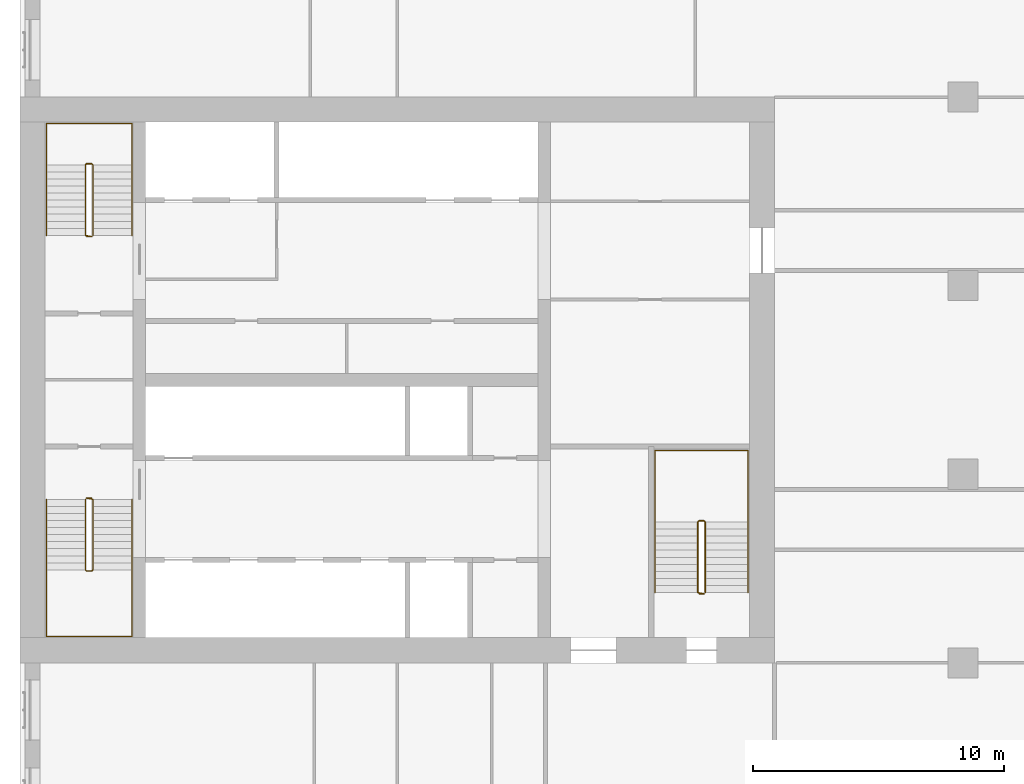
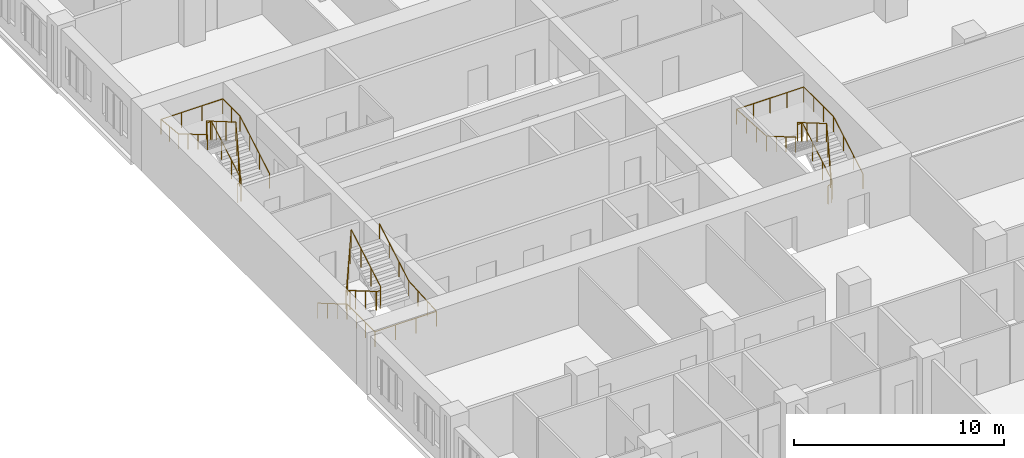
# One storey, part 14 of 14: 6 railings.
"""IFC4 building model written with IfcOpenShell, lengths in metres."""

from ifc_helpers import new_model, si_unit, direction, frame, origin, origin_2d, place, context, subcontext, project, spatial, circle, extrude, material, type_object, element, save


model = new_model("IFC4")

# Units and contexts
model_context = context("Model", 3, precision=1e-05, world=origin(), true_north=direction((0.0, 1.0)))
body_context = subcontext(model_context, "Body", "Model", "MODEL_VIEW")
ifc_project = project(units=[si_unit("LENGTHUNIT", "METRE"), si_unit("AREAUNIT", "SQUARE_METRE"), si_unit("VOLUMEUNIT", "CUBIC_METRE"), si_unit("PLANEANGLEUNIT", "RADIAN"), si_unit("MASSUNIT", "GRAM", prefix="KILO")], contexts=[model_context])

# Site, building, storey
site_placement = place(None, origin())
site = spatial("IfcSite", under=ifc_project, at=site_placement, CompositionType="ELEMENT")
building_placement = place(site_placement, origin())
building = spatial("IfcBuilding", under=site, at=building_placement, Name="Tamorin Gate", CompositionType="ELEMENT")
storey_placement = place(building_placement, frame((0.0, 0.0, 44.800048828125)))
storey = spatial("IfcBuildingStorey", under=building, at=storey_placement, Name="L09", CompositionType="ELEMENT", Elevation=44.800048828125)

# Railings
ifc_material_1 = material(Name="Painted steel balustrade", Category="steel")
railing_type_1 = type_object("IfcRailingType", Name="Stair guard 1100", PredefinedType="GUARDRAIL", material=ifc_material_1)
railing_1_placement = place(storey_placement, frame((32.60009765625, 66.5, 0.16357421875)))
element("IfcRailing", 1, at=railing_1_placement, inside=storey, type_object=railing_type_1, Name="L09 ST1 stair guard 1", PredefinedType="GUARDRAIL", context=body_context, shape_type="SweptSolid", body=[
    extrude(circle(Radius=0.02392578125, at=origin_2d()), frame((0.0, 0.0, 1.076171875), z_axis=(0.0, -0.863360870873, 0.504586966384), x_axis=(1.0, 0.0, 0.0)), (0.0, 0.0, 1.0), 3.2431640625),
    extrude(circle(Radius=0.02392578125, at=origin_2d()), frame((0.0, -2.800048828125, 2.71240234375), z_axis=(0.705375805398, -0.708833529934, 0.0), x_axis=(0.708833529934, 0.705375805398, 0.0)), (0.0, 0.0, 1.0), 0.070556640625),
    extrude(circle(Radius=0.02392578125, at=origin_2d()), frame((0.0498046875, -2.85009765625, 2.71240234375), z_axis=(1.0, 0.0, 0.0), x_axis=(0.0, 1.0, 0.0)), (0.0, 0.0, 1.0), 0.2001953125),
    extrude(circle(Radius=0.02392578125, at=origin_2d()), frame((0.25, -2.85009765625, 2.71240234375), z_axis=(0.279546231943, 0.280916556609, 0.91811752648), x_axis=(-0.708833529934, 0.705375805398, 0.0)), (0.0, 0.0, 1.0), 0.17822265625),
    extrude(circle(Radius=0.02392578125, at=origin_2d()), frame((0.2998046875, -2.800048828125, 2.8759765625), z_axis=(0.0, 0.863393664356, 0.504530851732), x_axis=(-1.0, 0.0, 0.0)), (0.0, 0.0, 1.0), 3.2431640625),
    extrude(circle(Radius=0.02392578125, at=origin_2d()), frame((0.2998046875, 0.0, 4.51220703125), z_axis=(-0.069273741535, 0.013868278335, -0.997501288014), x_axis=(-0.196300278283, -0.98054382908, 0.0)), (0.0, 0.0, 1.0), 3.60888671875),
    extrude(circle(Radius=0.02392578125, at=origin_2d()), frame((0.0498046875, 0.050048828125, 0.91259765625), z_axis=(1.0, 0.0, 0.0), x_axis=(0.0, 1.0, 0.0)), (0.0, 0.0, 1.0), 0.2001953125),
    extrude(circle(Radius=0.02099609375, at=origin_2d()), origin(), (0.0, 0.0, 1.0), 1.052001953125),
    extrude(circle(Radius=0.02099609375, at=origin_2d()), frame((0.0, -0.933349609375, 0.54541015625)), (0.0, 0.0, 1.0), 1.052001953125),
    extrude(circle(Radius=0.02099609375, at=origin_2d()), frame((0.0, -1.86669921875, 1.091064453125)), (0.0, 0.0, 1.0), 1.052001953125),
    extrude(circle(Radius=0.02099609375, at=origin_2d()), frame((0.0, -2.800048828125, 1.636474609375)), (0.0, 0.0, 1.0), 1.052001953125),
    extrude(circle(Radius=0.02099609375, at=origin_2d()), frame((0.0498046875, -2.85009765625, 1.636474609375)), (0.0, 0.0, 1.0), 1.052001953125),
    extrude(circle(Radius=0.02099609375, at=origin_2d()), frame((0.25, -2.85009765625, 1.636474609375)), (0.0, 0.0, 1.0), 1.052001953125),
    extrude(circle(Radius=0.02099609375, at=origin_2d()), frame((0.2998046875, -2.800048828125, 1.800048828125)), (0.0, 0.0, 1.0), 1.052001953125),
    extrude(circle(Radius=0.02099609375, at=origin_2d()), frame((0.2998046875, -1.86669921875, 2.345458984375)), (0.0, 0.0, 1.0), 1.052001953125),
    extrude(circle(Radius=0.02099609375, at=origin_2d()), frame((0.2998046875, -0.933349609375, 2.890869140625)), (0.0, 0.0, 1.0), 1.052001953125),
    extrude(circle(Radius=0.02099609375, at=origin_2d()), frame((0.2998046875, 0.0, 3.436279296875)), (0.0, 0.0, 1.0), 1.052001953125),
    extrude(circle(Radius=0.02099609375, at=origin_2d()), frame((0.2373046875, 0.012451171875, 2.536376953125)), (0.0, 0.0, 1.0), 1.052001953125),
    extrude(circle(Radius=0.02099609375, at=origin_2d()), frame((0.1748046875, 0.02490234375, 1.63623046875)), (0.0, 0.0, 1.0), 1.052001953125),
    extrude(circle(Radius=0.02099609375, at=origin_2d()), frame((0.1123046875, 0.03759765625, 0.736328125)), (0.0, 0.0, 1.0), 1.052001953125),
    extrude(circle(Radius=0.02099609375, at=origin_2d()), frame((0.0498046875, 0.050048828125, -0.16357421875)), (0.0, 0.0, 1.0), 1.052001953125),
    extrude(circle(Radius=0.02099609375, at=origin_2d()), frame((0.25, 0.050048828125, -0.16357421875)), (0.0, 0.0, 1.0), 1.052001953125),
])
railing_2_placement = place(storey_placement, frame((32.89990234375, 77.0, 0.16357421875)))
element("IfcRailing", 2, at=railing_2_placement, inside=storey, type_object=railing_type_1, Name="L09 ST2 stair guard 1", PredefinedType="GUARDRAIL", context=body_context, shape_type="SweptSolid", body=[
    extrude(circle(Radius=0.02392578125, at=origin_2d()), frame((0.0, 0.0, 1.076171875), z_axis=(0.0, 0.863360870873, 0.504586966384), x_axis=(-1.0, 0.0, 0.0)), (0.0, 0.0, 1.0), 3.2431640625),
    extrude(circle(Radius=0.02392578125, at=origin_2d()), frame((0.0, 2.800048828125, 2.71240234375), z_axis=(-0.705375805398, 0.708833529934, 0.0), x_axis=(-0.708833529934, -0.705375805398, 0.0)), (0.0, 0.0, 1.0), 0.070556640625),
    extrude(circle(Radius=0.02392578125, at=origin_2d()), frame((-0.0498046875, 2.85009765625, 2.71240234375), z_axis=(-1.0, 0.0, 0.0), x_axis=(0.0, -1.0, 0.0)), (0.0, 0.0, 1.0), 0.2001953125),
    extrude(circle(Radius=0.02392578125, at=origin_2d()), frame((-0.25, 2.85009765625, 2.71240234375), z_axis=(-0.279546231943, -0.280916556609, 0.91811752648), x_axis=(0.708833529934, -0.705375805398, 0.0)), (0.0, 0.0, 1.0), 0.17822265625),
    extrude(circle(Radius=0.02392578125, at=origin_2d()), frame((-0.2998046875, 2.800048828125, 2.8759765625), z_axis=(0.0, -0.863393664356, 0.504530851732), x_axis=(1.0, 0.0, 0.0)), (0.0, 0.0, 1.0), 3.2431640625),
    extrude(circle(Radius=0.02392578125, at=origin_2d()), frame((-0.2998046875, 0.0, 4.51220703125), z_axis=(0.069273741535, -0.013868278335, -0.997501288014), x_axis=(0.196300278283, 0.98054382908, 0.0)), (0.0, 0.0, 1.0), 3.60888671875),
    extrude(circle(Radius=0.02392578125, at=origin_2d()), frame((-0.0498046875, -0.050048828125, 0.91259765625), z_axis=(-1.0, 0.0, 0.0), x_axis=(0.0, -1.0, 0.0)), (0.0, 0.0, 1.0), 0.2001953125),
    extrude(circle(Radius=0.02099609375, at=origin_2d()), origin(), (0.0, 0.0, 1.0), 1.052001953125),
    extrude(circle(Radius=0.02099609375, at=origin_2d()), frame((0.0, 0.933349609375, 0.54541015625)), (0.0, 0.0, 1.0), 1.052001953125),
    extrude(circle(Radius=0.02099609375, at=origin_2d()), frame((0.0, 1.86669921875, 1.091064453125)), (0.0, 0.0, 1.0), 1.052001953125),
    extrude(circle(Radius=0.02099609375, at=origin_2d()), frame((0.0, 2.800048828125, 1.636474609375)), (0.0, 0.0, 1.0), 1.052001953125),
    extrude(circle(Radius=0.02099609375, at=origin_2d()), frame((-0.0498046875, 2.85009765625, 1.636474609375)), (0.0, 0.0, 1.0), 1.052001953125),
    extrude(circle(Radius=0.02099609375, at=origin_2d()), frame((-0.25, 2.85009765625, 1.636474609375)), (0.0, 0.0, 1.0), 1.052001953125),
    extrude(circle(Radius=0.02099609375, at=origin_2d()), frame((-0.2998046875, 2.800048828125, 1.800048828125)), (0.0, 0.0, 1.0), 1.052001953125),
    extrude(circle(Radius=0.02099609375, at=origin_2d()), frame((-0.2998046875, 1.86669921875, 2.345458984375)), (0.0, 0.0, 1.0), 1.052001953125),
    extrude(circle(Radius=0.02099609375, at=origin_2d()), frame((-0.2998046875, 0.933349609375, 2.890869140625)), (0.0, 0.0, 1.0), 1.052001953125),
    extrude(circle(Radius=0.02099609375, at=origin_2d()), frame((-0.2998046875, 0.0, 3.436279296875)), (0.0, 0.0, 1.0), 1.052001953125),
    extrude(circle(Radius=0.02099609375, at=origin_2d()), frame((-0.2373046875, -0.012451171875, 2.536376953125)), (0.0, 0.0, 1.0), 1.052001953125),
    extrude(circle(Radius=0.02099609375, at=origin_2d()), frame((-0.1748046875, -0.02490234375, 1.63623046875)), (0.0, 0.0, 1.0), 1.052001953125),
    extrude(circle(Radius=0.02099609375, at=origin_2d()), frame((-0.1123046875, -0.03759765625, 0.736328125)), (0.0, 0.0, 1.0), 1.052001953125),
    extrude(circle(Radius=0.02099609375, at=origin_2d()), frame((-0.0498046875, -0.050048828125, -0.16357421875)), (0.0, 0.0, 1.0), 1.052001953125),
    extrude(circle(Radius=0.02099609375, at=origin_2d()), frame((-0.25, -0.050048828125, -0.16357421875)), (0.0, 0.0, 1.0), 1.052001953125),
])
railing_3_placement = place(storey_placement, frame((57.25, 62.800048828125, 0.16357421875)))
element("IfcRailing", 3, at=railing_3_placement, inside=storey, type_object=railing_type_1, Name="L09 ST3 stair guard 1", PredefinedType="GUARDRAIL", context=body_context, shape_type="SweptSolid", body=[
    extrude(circle(Radius=0.02392578125, at=origin_2d()), frame((0.0, 0.0, 1.076171875), z_axis=(0.0, 0.863360870873, 0.504586966384), x_axis=(-1.0, 0.0, 0.0)), (0.0, 0.0, 1.0), 3.2431640625),
    extrude(circle(Radius=0.02392578125, at=origin_2d()), frame((0.0, 2.800048828125, 2.71240234375), z_axis=(-0.708833529934, 0.705375805398, 0.0), x_axis=(-0.705375805398, -0.708833529934, 0.0)), (0.0, 0.0, 1.0), 0.070556640625),
    extrude(circle(Radius=0.02392578125, at=origin_2d()), frame((-0.050048828125, 2.849853515625, 2.71240234375), z_axis=(-1.0, 0.0, 0.0), x_axis=(0.0, -1.0, 0.0)), (0.0, 0.0, 1.0), 0.199951171875),
    extrude(circle(Radius=0.02392578125, at=origin_2d()), frame((-0.25, 2.849853515625, 2.71240234375), z_axis=(-0.280916556609, -0.279546231943, 0.91811752648), x_axis=(0.705375805398, -0.708833529934, 0.0)), (0.0, 0.0, 1.0), 0.17822265625),
    extrude(circle(Radius=0.02392578125, at=origin_2d()), frame((-0.300048828125, 2.800048828125, 2.8759765625), z_axis=(0.0, -0.863393664356, 0.504530851732), x_axis=(1.0, 0.0, 0.0)), (0.0, 0.0, 1.0), 3.2431640625),
    extrude(circle(Radius=0.02392578125, at=origin_2d()), frame((-0.300048828125, 0.0, 4.51220703125), z_axis=(0.069273741535, -0.013868278335, -0.997501288014), x_axis=(0.196300278283, 0.98054382908, 0.0)), (0.0, 0.0, 1.0), 3.60888671875),
    extrude(circle(Radius=0.02392578125, at=origin_2d()), frame((-0.050048828125, -0.050048828125, 0.91259765625), z_axis=(-1.0, 0.0, 0.0), x_axis=(0.0, -1.0, 0.0)), (0.0, 0.0, 1.0), 0.199951171875),
    extrude(circle(Radius=0.02099609375, at=origin_2d()), origin(), (0.0, 0.0, 1.0), 1.052001953125),
    extrude(circle(Radius=0.02099609375, at=origin_2d()), frame((0.0, 0.933349609375, 0.54541015625)), (0.0, 0.0, 1.0), 1.052001953125),
    extrude(circle(Radius=0.02099609375, at=origin_2d()), frame((0.0, 1.86669921875, 1.091064453125)), (0.0, 0.0, 1.0), 1.052001953125),
    extrude(circle(Radius=0.02099609375, at=origin_2d()), frame((0.0, 2.800048828125, 1.636474609375)), (0.0, 0.0, 1.0), 1.052001953125),
    extrude(circle(Radius=0.02099609375, at=origin_2d()), frame((-0.050048828125, 2.849853515625, 1.636474609375)), (0.0, 0.0, 1.0), 1.052001953125),
    extrude(circle(Radius=0.02099609375, at=origin_2d()), frame((-0.25, 2.849853515625, 1.636474609375)), (0.0, 0.0, 1.0), 1.052001953125),
    extrude(circle(Radius=0.02099609375, at=origin_2d()), frame((-0.300048828125, 2.800048828125, 1.800048828125)), (0.0, 0.0, 1.0), 1.052001953125),
    extrude(circle(Radius=0.02099609375, at=origin_2d()), frame((-0.300048828125, 1.86669921875, 2.345458984375)), (0.0, 0.0, 1.0), 1.052001953125),
    extrude(circle(Radius=0.02099609375, at=origin_2d()), frame((-0.300048828125, 0.933349609375, 2.890869140625)), (0.0, 0.0, 1.0), 1.052001953125),
    extrude(circle(Radius=0.02099609375, at=origin_2d()), frame((-0.300048828125, 0.0, 3.436279296875)), (0.0, 0.0, 1.0), 1.052001953125),
    extrude(circle(Radius=0.02099609375, at=origin_2d()), frame((-0.237548828125, -0.012451171875, 2.536376953125)), (0.0, 0.0, 1.0), 1.052001953125),
    extrude(circle(Radius=0.02099609375, at=origin_2d()), frame((-0.175048828125, -0.02490234375, 1.63623046875)), (0.0, 0.0, 1.0), 1.052001953125),
    extrude(circle(Radius=0.02099609375, at=origin_2d()), frame((-0.112548828125, -0.03759765625, 0.736328125)), (0.0, 0.0, 1.0), 1.052001953125),
    extrude(circle(Radius=0.02099609375, at=origin_2d()), frame((-0.050048828125, -0.050048828125, -0.16357421875)), (0.0, 0.0, 1.0), 1.052001953125),
    extrude(circle(Radius=0.02099609375, at=origin_2d()), frame((-0.25, -0.050048828125, -0.16357421875)), (0.0, 0.0, 1.0), 1.052001953125),
])
ifc_material_2 = material(Name="Painted steel handrail", Category="steel")
railing_type_2 = type_object("IfcRailingType", Name="Stair handrail 900", PredefinedType="HANDRAIL", material=ifc_material_2)
railing_4_placement = place(storey_placement, frame((31.050048828125, 66.5, 0.16357421875)))
element("IfcRailing", 4, at=railing_4_placement, inside=storey, type_object=railing_type_2, Name="L09 ST1 stair handrail 1", PredefinedType="HANDRAIL", context=body_context, shape_type="SweptSolid", body=[
    extrude(circle(Radius=0.02392578125, at=origin_2d()), frame((0.0, 0.0, 0.8759765625), z_axis=(0.0, -0.863360870873, 0.504586966384), x_axis=(1.0, 0.0, 0.0)), (0.0, 0.0, 1.0), 3.2431640625),
    extrude(circle(Radius=0.02392578125, at=origin_2d()), frame((0.0, -2.800048828125, 2.51220703125), z_axis=(0.0, -1.0, 0.0), x_axis=(1.0, 0.0, 0.0)), (0.0, 0.0, 1.0), 2.64990234375),
    extrude(circle(Radius=0.02392578125, at=origin_2d()), frame((0.0, -5.449951171875, 2.51220703125), z_axis=(1.0, 0.0, 0.0), x_axis=(0.0, 1.0, 0.0)), (0.0, 0.0, 1.0), 3.39990234375),
    extrude(circle(Radius=0.02392578125, at=origin_2d()), frame((3.39990234375, -5.449951171875, 2.51220703125), z_axis=(0.0, 0.998100230056, 0.061611125312), x_axis=(-1.0, 0.0, 0.0)), (0.0, 0.0, 1.0), 2.655029296875),
    extrude(circle(Radius=0.02392578125, at=origin_2d()), frame((3.39990234375, -2.800048828125, 2.67578125), z_axis=(0.0, 0.863393664356, 0.504530851732), x_axis=(-1.0, 0.0, 0.0)), (0.0, 0.0, 1.0), 3.2431640625),
    extrude(circle(Radius=0.02099609375, at=origin_2d()), origin(), (0.0, 0.0, 1.0), 0.851806640625),
    extrude(circle(Radius=0.02099609375, at=origin_2d()), frame((0.0, -0.933349609375, 0.54541015625)), (0.0, 0.0, 1.0), 0.851806640625),
    extrude(circle(Radius=0.02099609375, at=origin_2d()), frame((0.0, -1.86669921875, 1.091064453125)), (0.0, 0.0, 1.0), 0.851806640625),
    extrude(circle(Radius=0.02099609375, at=origin_2d()), frame((0.0, -2.800048828125, 1.636474609375)), (0.0, 0.0, 1.0), 0.851806640625),
    extrude(circle(Radius=0.02099609375, at=origin_2d()), frame((0.0, -3.683349609375, 1.636474609375)), (0.0, 0.0, 1.0), 0.851806640625),
    extrude(circle(Radius=0.02099609375, at=origin_2d()), frame((0.0, -4.566650390625, 1.636474609375)), (0.0, 0.0, 1.0), 0.851806640625),
    extrude(circle(Radius=0.02099609375, at=origin_2d()), frame((0.0, -5.449951171875, 1.636474609375)), (0.0, 0.0, 1.0), 0.851806640625),
    extrude(circle(Radius=0.02099609375, at=origin_2d()), frame((1.13330078125, -5.449951171875, 1.636474609375)), (0.0, 0.0, 1.0), 0.851806640625),
    extrude(circle(Radius=0.02099609375, at=origin_2d()), frame((2.2666015625, -5.449951171875, 1.636474609375)), (0.0, 0.0, 1.0), 0.851806640625),
    extrude(circle(Radius=0.02099609375, at=origin_2d()), frame((3.39990234375, -5.449951171875, 1.636474609375)), (0.0, 0.0, 1.0), 0.851806640625),
    extrude(circle(Radius=0.02099609375, at=origin_2d()), frame((3.39990234375, -4.566650390625, 1.69091796875)), (0.0, 0.0, 1.0), 0.851806640625),
    extrude(circle(Radius=0.02099609375, at=origin_2d()), frame((3.39990234375, -3.683349609375, 1.74560546875)), (0.0, 0.0, 1.0), 0.851806640625),
    extrude(circle(Radius=0.02099609375, at=origin_2d()), frame((3.39990234375, -2.800048828125, 1.800048828125)), (0.0, 0.0, 1.0), 0.851806640625),
    extrude(circle(Radius=0.02099609375, at=origin_2d()), frame((3.39990234375, -1.86669921875, 2.345458984375)), (0.0, 0.0, 1.0), 0.851806640625),
    extrude(circle(Radius=0.02099609375, at=origin_2d()), frame((3.39990234375, -0.933349609375, 2.890869140625)), (0.0, 0.0, 1.0), 0.851806640625),
    extrude(circle(Radius=0.02099609375, at=origin_2d()), frame((3.39990234375, 0.0, 3.436279296875)), (0.0, 0.0, 1.0), 0.851806640625),
])
railing_5_placement = place(storey_placement, frame((34.449951171875, 77.0, 0.16357421875)))
element("IfcRailing", 5, at=railing_5_placement, inside=storey, type_object=railing_type_2, Name="L09 ST2 stair handrail 1", PredefinedType="HANDRAIL", context=body_context, shape_type="SweptSolid", body=[
    extrude(circle(Radius=0.02392578125, at=origin_2d()), frame((0.0, 0.0, 0.8759765625), z_axis=(0.0, 0.863360870873, 0.504586966384), x_axis=(-1.0, 0.0, 0.0)), (0.0, 0.0, 1.0), 3.2431640625),
    extrude(circle(Radius=0.02392578125, at=origin_2d()), frame((0.0, 2.800048828125, 2.51220703125), z_axis=(0.0, 1.0, 0.0), x_axis=(-1.0, 0.0, 0.0)), (0.0, 0.0, 1.0), 1.64990234375),
    extrude(circle(Radius=0.02392578125, at=origin_2d()), frame((0.0, 4.449951171875, 2.51220703125), z_axis=(-1.0, 0.0, 0.0), x_axis=(0.0, -1.0, 0.0)), (0.0, 0.0, 1.0), 3.39990234375),
    extrude(circle(Radius=0.02392578125, at=origin_2d()), frame((-3.39990234375, 4.449951171875, 2.51220703125), z_axis=(0.0, -0.995121390814, 0.098658084026), x_axis=(1.0, 0.0, 0.0)), (0.0, 0.0, 1.0), 1.657958984375),
    extrude(circle(Radius=0.02392578125, at=origin_2d()), frame((-3.39990234375, 2.800048828125, 2.67578125), z_axis=(0.0, -0.863393664356, 0.504530851732), x_axis=(1.0, 0.0, 0.0)), (0.0, 0.0, 1.0), 3.2431640625),
    extrude(circle(Radius=0.02099609375, at=origin_2d()), origin(), (0.0, 0.0, 1.0), 0.851806640625),
    extrude(circle(Radius=0.02099609375, at=origin_2d()), frame((0.0, 0.933349609375, 0.54541015625)), (0.0, 0.0, 1.0), 0.851806640625),
    extrude(circle(Radius=0.02099609375, at=origin_2d()), frame((0.0, 1.86669921875, 1.091064453125)), (0.0, 0.0, 1.0), 0.851806640625),
    extrude(circle(Radius=0.02099609375, at=origin_2d()), frame((0.0, 2.800048828125, 1.636474609375)), (0.0, 0.0, 1.0), 0.851806640625),
    extrude(circle(Radius=0.02099609375, at=origin_2d()), frame((0.0, 3.625, 1.636474609375)), (0.0, 0.0, 1.0), 0.851806640625),
    extrude(circle(Radius=0.02099609375, at=origin_2d()), frame((0.0, 4.449951171875, 1.636474609375)), (0.0, 0.0, 1.0), 0.851806640625),
    extrude(circle(Radius=0.02099609375, at=origin_2d()), frame((-1.13330078125, 4.449951171875, 1.636474609375)), (0.0, 0.0, 1.0), 0.851806640625),
    extrude(circle(Radius=0.02099609375, at=origin_2d()), frame((-2.2666015625, 4.449951171875, 1.636474609375)), (0.0, 0.0, 1.0), 0.851806640625),
    extrude(circle(Radius=0.02099609375, at=origin_2d()), frame((-3.39990234375, 4.449951171875, 1.636474609375)), (0.0, 0.0, 1.0), 0.851806640625),
    extrude(circle(Radius=0.02099609375, at=origin_2d()), frame((-3.39990234375, 3.625, 1.71826171875)), (0.0, 0.0, 1.0), 0.851806640625),
    extrude(circle(Radius=0.02099609375, at=origin_2d()), frame((-3.39990234375, 2.800048828125, 1.800048828125)), (0.0, 0.0, 1.0), 0.851806640625),
    extrude(circle(Radius=0.02099609375, at=origin_2d()), frame((-3.39990234375, 1.86669921875, 2.345458984375)), (0.0, 0.0, 1.0), 0.851806640625),
    extrude(circle(Radius=0.02099609375, at=origin_2d()), frame((-3.39990234375, 0.933349609375, 2.890869140625)), (0.0, 0.0, 1.0), 0.851806640625),
    extrude(circle(Radius=0.02099609375, at=origin_2d()), frame((-3.39990234375, 0.0, 3.436279296875)), (0.0, 0.0, 1.0), 0.851806640625),
])
railing_6_placement = place(storey_placement, frame((58.949951171875, 62.800048828125, 0.16357421875)))
element("IfcRailing", 6, at=railing_6_placement, inside=storey, type_object=railing_type_2, Name="L09 ST3 stair handrail 1", PredefinedType="HANDRAIL", context=body_context, shape_type="SweptSolid", body=[
    extrude(circle(Radius=0.02392578125, at=origin_2d()), frame((0.0, 0.0, 0.8759765625), z_axis=(0.0, 0.863360870873, 0.504586966384), x_axis=(-1.0, 0.0, 0.0)), (0.0, 0.0, 1.0), 3.2431640625),
    extrude(circle(Radius=0.02392578125, at=origin_2d()), frame((0.0, 2.800048828125, 2.51220703125), z_axis=(0.0, 1.0, 0.0), x_axis=(-1.0, 0.0, 0.0)), (0.0, 0.0, 1.0), 2.849853515625),
    extrude(circle(Radius=0.02392578125, at=origin_2d()), frame((0.0, 5.64990234375, 2.51220703125), z_axis=(-1.0, 0.0, 0.0), x_axis=(0.0, -1.0, 0.0)), (0.0, 0.0, 1.0), 3.699951171875),
    extrude(circle(Radius=0.02392578125, at=origin_2d()), frame((-3.699951171875, 5.64990234375, 2.51220703125), z_axis=(0.0, -0.998356827416, 0.057303098978), x_axis=(1.0, 0.0, 0.0)), (0.0, 0.0, 1.0), 2.8544921875),
    extrude(circle(Radius=0.02392578125, at=origin_2d()), frame((-3.699951171875, 2.800048828125, 2.67578125), z_axis=(0.0, -0.863393664356, 0.504530851732), x_axis=(1.0, 0.0, 0.0)), (0.0, 0.0, 1.0), 3.2431640625),
    extrude(circle(Radius=0.02099609375, at=origin_2d()), origin(), (0.0, 0.0, 1.0), 0.851806640625),
    extrude(circle(Radius=0.02099609375, at=origin_2d()), frame((0.0, 0.933349609375, 0.54541015625)), (0.0, 0.0, 1.0), 0.851806640625),
    extrude(circle(Radius=0.02099609375, at=origin_2d()), frame((0.0, 1.86669921875, 1.091064453125)), (0.0, 0.0, 1.0), 0.851806640625),
    extrude(circle(Radius=0.02099609375, at=origin_2d()), frame((0.0, 2.800048828125, 1.636474609375)), (0.0, 0.0, 1.0), 0.851806640625),
    extrude(circle(Radius=0.02099609375, at=origin_2d()), frame((0.0, 3.75, 1.636474609375)), (0.0, 0.0, 1.0), 0.851806640625),
    extrude(circle(Radius=0.02099609375, at=origin_2d()), frame((0.0, 4.699951171875, 1.636474609375)), (0.0, 0.0, 1.0), 0.851806640625),
    extrude(circle(Radius=0.02099609375, at=origin_2d()), frame((0.0, 5.64990234375, 1.636474609375)), (0.0, 0.0, 1.0), 0.851806640625),
    extrude(circle(Radius=0.02099609375, at=origin_2d()), frame((-0.925048828125, 5.64990234375, 1.636474609375)), (0.0, 0.0, 1.0), 0.851806640625),
    extrude(circle(Radius=0.02099609375, at=origin_2d()), frame((-1.85009765625, 5.64990234375, 1.636474609375)), (0.0, 0.0, 1.0), 0.851806640625),
    extrude(circle(Radius=0.02099609375, at=origin_2d()), frame((-2.77490234375, 5.64990234375, 1.636474609375)), (0.0, 0.0, 1.0), 0.851806640625),
    extrude(circle(Radius=0.02099609375, at=origin_2d()), frame((-3.699951171875, 5.64990234375, 1.636474609375)), (0.0, 0.0, 1.0), 0.851806640625),
    extrude(circle(Radius=0.02099609375, at=origin_2d()), frame((-3.699951171875, 4.699951171875, 1.69091796875)), (0.0, 0.0, 1.0), 0.851806640625),
    extrude(circle(Radius=0.02099609375, at=origin_2d()), frame((-3.699951171875, 3.75, 1.74560546875)), (0.0, 0.0, 1.0), 0.851806640625),
    extrude(circle(Radius=0.02099609375, at=origin_2d()), frame((-3.699951171875, 2.800048828125, 1.800048828125)), (0.0, 0.0, 1.0), 0.851806640625),
    extrude(circle(Radius=0.02099609375, at=origin_2d()), frame((-3.699951171875, 1.86669921875, 2.345458984375)), (0.0, 0.0, 1.0), 0.851806640625),
    extrude(circle(Radius=0.02099609375, at=origin_2d()), frame((-3.699951171875, 0.933349609375, 2.890869140625)), (0.0, 0.0, 1.0), 0.851806640625),
    extrude(circle(Radius=0.02099609375, at=origin_2d()), frame((-3.699951171875, 0.0, 3.436279296875)), (0.0, 0.0, 1.0), 0.851806640625),
])

save(model, "model.ifc")
